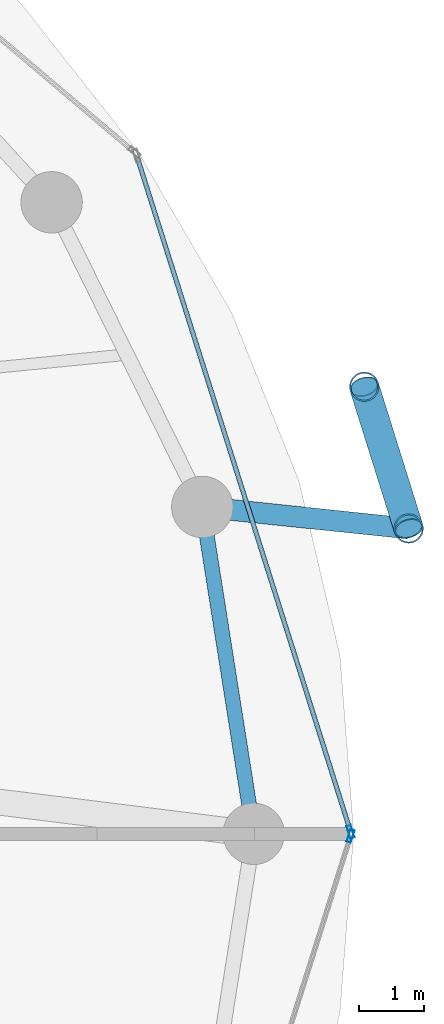
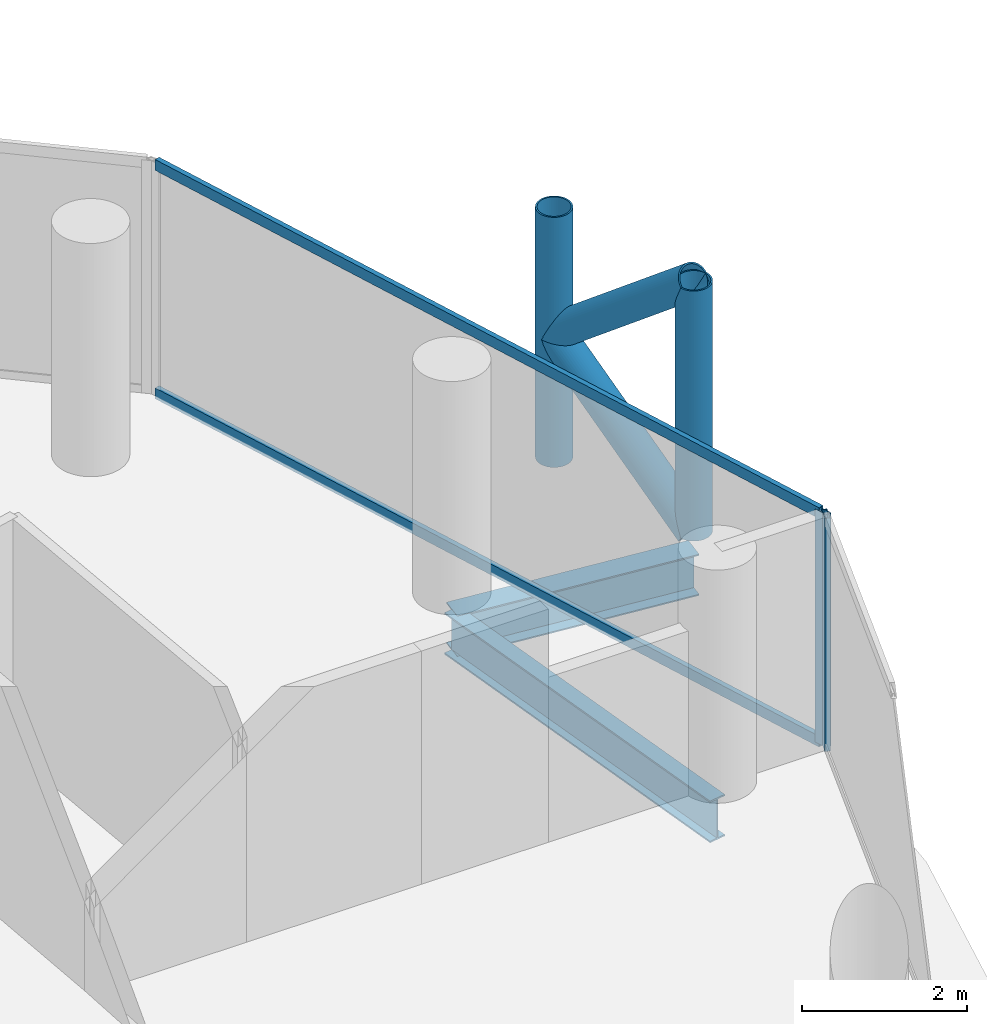
# One storey, part 12 of 26: 8 members, 2 beams, 2 elements without a shape of their own.
"""IFC4 building model written with IfcOpenShell, lengths in metres."""

import ifcopenshell
import ifcopenshell.guid

model = None  # the IFC model being written
_history = None  # IfcOwnerHistory: only IFC2X3 demands one
_inside = {}  # id of a spatial element -> (the spatial element, [elements in it])
_under = {}  # id of a project, library or spatial element -> (it, [spatial elements below it])
_declared = {}  # id of a project -> (the project, [libraries it declares])
_typed = {}  # id of a type object -> (the type object, [elements of that type])
_made_of = {}  # id of a material, layer set ... -> (it, [elements and type objects made of it])


def new_model(schema):
    """Start an empty IFC model of exactly this schema.

    Asked for "IFC4X3", IfcOpenShell would pick the latest addendum, in which some entities
    have other attributes; the version numbers below select the first issue.
    IFC2X3 requires an IfcOwnerHistory on every rooted entity: one is made here for all.
    """
    global model, _history
    if schema == "IFC4X3":
        model = ifcopenshell.file(schema_version=(4, 3, 0, 0))
    else:
        model = ifcopenshell.file(schema=schema)
    _inside.clear()
    _under.clear()
    _declared.clear()
    _typed.clear()
    _made_of.clear()
    _history = None
    if model.schema == "IFC2X3":
        org = make("IfcOrganization", Name="unknown")
        user = make(
            "IfcPersonAndOrganization",
            ThePerson=make("IfcPerson", FamilyName="unknown"),
            TheOrganization=org,
        )
        app = make(
            "IfcApplication",
            ApplicationDeveloper=org,
            Version="unknown",
            ApplicationFullName="unknown",
            ApplicationIdentifier="unknown",
        )
        _history = make(
            "IfcOwnerHistory",
            OwningUser=user,
            OwningApplication=app,
            ChangeAction="ADDED",
            CreationDate=0,
        )
    return model


def make(cls, **values):
    """One entity of the class cls with the attributes given. An attribute that is None is left unset."""
    return model.create_entity(
        cls, **{name: value for name, value in values.items() if value is not None}
    )


def rooted(cls, **values):
    """An entity with a GlobalId (a new one), such as an element, a storey or a relation."""
    return make(cls, GlobalId=ifcopenshell.guid.new(), OwnerHistory=_history, **values)


def si_unit(unit_type, name, prefix=None):
    """IfcSIUnit, for example si_unit("LENGTHUNIT", "METRE", prefix="MILLI")."""
    return make("IfcSIUnit", UnitType=unit_type, Prefix=prefix, Name=name)


def assignment(units):
    """IfcUnitAssignment: the units of a project."""
    return None if units is None else make("IfcUnitAssignment", Units=units)


def point(xyz):
    """IfcCartesianPoint."""
    return None if xyz is None else make("IfcCartesianPoint", Coordinates=xyz)


def direction(xyz):
    """IfcDirection."""
    return None if xyz is None else make("IfcDirection", DirectionRatios=xyz)


def frame(location, z_axis=None, x_axis=None):
    """IfcAxis2Placement3D, a coordinate frame: its origin and axes. An axis left out is left unset."""
    return make(
        "IfcAxis2Placement3D",
        Location=point(location),
        Axis=direction(z_axis),
        RefDirection=direction(x_axis),
    )


def frame_2d(location, x_axis=None):
    """IfcAxis2Placement2D, a coordinate frame in the plane: its origin and x axis."""
    return make(
        "IfcAxis2Placement2D", Location=point(location), RefDirection=direction(x_axis)
    )


def origin():
    """The frame at (0, 0, 0) with its axes left unset."""
    return frame((0.0, 0.0, 0.0))


def origin_2d():
    """The frame at (0, 0) in the plane with its x axis left unset."""
    return frame_2d((0.0, 0.0))


def place(relative_to, where):
    """IfcLocalPlacement: puts the frame where relative to a parent placement (None: the world)."""
    return make(
        "IfcLocalPlacement", PlacementRelTo=relative_to, RelativePlacement=where
    )


def context(
    kind, dimensions, precision=None, world=None, true_north=None, identifier=None
):
    """IfcGeometricRepresentationContext, for example the 3D "Model" context."""
    return make(
        "IfcGeometricRepresentationContext",
        ContextIdentifier=identifier,
        ContextType=kind,
        CoordinateSpaceDimension=dimensions,
        Precision=precision,
        WorldCoordinateSystem=world,
        TrueNorth=true_north,
    )


def subcontext(parent, identifier, kind, view, scale=None):
    """IfcGeometricRepresentationSubContext, for example "Body" below "Model"."""
    return make(
        "IfcGeometricRepresentationSubContext",
        ContextIdentifier=identifier,
        ContextType=kind,
        ParentContext=parent,
        TargetScale=scale,
        TargetView=view,
    )


def project(units=None, contexts=None):
    """IfcProject with its units and contexts."""
    return rooted(
        "IfcProject",
        Name="project",
        RepresentationContexts=contexts,
        UnitsInContext=assignment(units),
    )


def spatial(cls, under=None, at=None, **own):
    """A site, building, storey or space (cls), placed at a placement, below another one or the project."""
    s = rooted(cls, ObjectPlacement=at, **own)
    if under is not None:
        _under.setdefault(under.id(), (under, []))[1].append(s)
    return s


def profile(cls, at=None, kind="AREA", **sizes):
    """A parametric profile (cls). Its sizes go by their IFC names, for example OverallWidth=200.0."""
    return make(cls, ProfileType=kind, Position=at, **sizes)


def hollow_rectangle(**sizes):
    """IfcRectangleHollowProfileDef."""
    return profile("IfcRectangleHollowProfileDef", **sizes)


def hollow_circle(**sizes):
    """IfcCircleHollowProfileDef."""
    return profile("IfcCircleHollowProfileDef", **sizes)


def i_section(**sizes):
    """IfcIShapeProfileDef."""
    return profile("IfcIShapeProfileDef", **sizes)


def extrude(swept, where, along, depth):
    """IfcExtrudedAreaSolid: the profile swept, set in the frame where, extruded along a direction by depth."""
    return make(
        "IfcExtrudedAreaSolid",
        SweptArea=swept,
        Position=where,
        ExtrudedDirection=direction(along),
        Depth=depth,
    )


def shape(context_of_items, identifier, shape_type, items):
    """IfcShapeRepresentation: the items that make up one representation, for example the "Body"."""
    return make(
        "IfcShapeRepresentation",
        ContextOfItems=context_of_items,
        RepresentationIdentifier=identifier,
        RepresentationType=shape_type,
        Items=items,
    )


def material(Name=None, Category=None):
    """IfcMaterial."""
    return make("IfcMaterial", Name=Name, Category=Category)


def layer(
    of_material, thickness, ventilated=None, Name=None, Category=None, Priority=None
):
    """IfcMaterialLayer: one layer of a wall or slab, of a material (None: an air gap)."""
    return make(
        "IfcMaterialLayer",
        Material=of_material,
        LayerThickness=thickness,
        IsVentilated=ventilated,
        Name=Name,
        Category=Category,
        Priority=Priority,
    )


def layer_set(layers, Name=None):
    """IfcMaterialLayerSet."""
    return make("IfcMaterialLayerSet", MaterialLayers=layers, LayerSetName=Name)


def material_profile(
    of_material, cross_section, Name=None, Category=None, Priority=None
):
    """IfcMaterialProfile: a cross section and its material."""
    return make(
        "IfcMaterialProfile",
        Name=Name,
        Material=of_material,
        Profile=cross_section,
        Priority=Priority,
        Category=Category,
    )


def profile_set(profiles, Name=None, composite=None):
    """IfcMaterialProfileSet."""
    return make(
        "IfcMaterialProfileSet",
        Name=Name,
        MaterialProfiles=profiles,
        CompositeProfile=composite,
    )


def made_of(thing, what):
    """Note that an element or type object is made of a material, layer set ...; save() writes the relation."""
    if what is not None:
        _made_of.setdefault(what.id(), (what, []))[1].append(thing)
    return thing


def type_object(cls, material=None, **own):
    """A type object (cls), such as IfcWallType, which elements share."""
    return made_of(rooted(cls, **own), material)


def element(
    cls,
    number,
    at=None,
    inside=None,
    cuts=None,
    type_object=None,
    material=None,
    context=None,
    identifier="Body",
    shape_type=None,
    held_by="IfcProductDefinitionShape",
    body=None,
    shapes=None,
    **own,
):
    """One element of the class cls, such as IfcWall. Its Tag is "e" and its number.

    at: its placement. inside: the storey or other place that contains it. cuts: it is an
    opening in that element (IfcRelVoidsElement). A single representation is given by context,
    identifier, shape_type and body (its items); several are given by shapes. held_by: the class
    of the entity that holds the representations. save() writes the other relations.
    """
    e = rooted(cls, Tag="e%d" % number, ObjectPlacement=at, **own)
    if body is not None:
        shapes = [shape(context, identifier, shape_type, body)]
    if shapes is not None:
        e.Representation = make(held_by, Representations=shapes)
    if inside is not None:
        _inside.setdefault(inside.id(), (inside, []))[1].append(e)
    if cuts is not None:
        rooted(
            "IfcRelVoidsElement", RelatingBuildingElement=cuts, RelatedOpeningElement=e
        )
    if type_object is not None:
        _typed.setdefault(type_object.id(), (type_object, []))[1].append(e)
    return made_of(e, material)


def aggregate(whole, parts):
    """IfcRelAggregates: a whole, such as a stair, and the parts it consists of."""
    return rooted("IfcRelAggregates", RelatingObject=whole, RelatedObjects=parts)


def save(model, path):
    """Write the relations noted so far, then the file.

    IfcRelAggregates (storeys below a building ...), IfcRelContainedInSpatialStructure (elements
    in a storey), IfcRelDefinesByType, IfcRelAssociatesMaterial and IfcRelDeclares: one each for
    every whole, place, type object, material and project.
    """
    for whole, parts in _under.values():
        aggregate(whole, parts)
    for where, things in _inside.values():
        rooted(
            "IfcRelContainedInSpatialStructure",
            RelatedElements=things,
            RelatingStructure=where,
        )
    for kind, things in _typed.values():
        rooted("IfcRelDefinesByType", RelatedObjects=things, RelatingType=kind)
    for what, things in _made_of.values():
        rooted("IfcRelAssociatesMaterial", RelatedObjects=things, RelatingMaterial=what)
    for by, libraries in _declared.values():
        rooted("IfcRelDeclares", RelatingContext=by, RelatedDefinitions=libraries)
    model.write(path)


model = new_model("IFC4")

# Units and contexts
model_context = context("Model", 3, precision=1e-05, world=origin(), true_north=direction((0.0, 1.0)))
body_context = subcontext(model_context, "Body", "Model", "MODEL_VIEW")
ifc_project = project(units=[si_unit("LENGTHUNIT", "METRE"), si_unit("AREAUNIT", "SQUARE_METRE"), si_unit("VOLUMEUNIT", "CUBIC_METRE"), si_unit("PLANEANGLEUNIT", "RADIAN"), si_unit("MASSUNIT", "GRAM", prefix="KILO")], contexts=[model_context])

# Site, building, storey
site_placement = place(None, origin())
site = spatial("IfcSite", under=ifc_project, at=site_placement, CompositionType="ELEMENT")
building_placement = place(site_placement, origin())
building = spatial("IfcBuilding", under=site, at=building_placement, Name="Nuhasar Tower", CompositionType="ELEMENT")
storey_placement = place(building_placement, frame((0.0, 0.0, 181.14990234375)))
storey = spatial("IfcBuildingStorey", under=building, at=storey_placement, Name="L44", CompositionType="ELEMENT", Elevation=181.14990234375)

# Beams
ifc_material_1 = material(Name="Steel S355", Category="steel")
ifc_material_profile_1 = material_profile(ifc_material_1, i_section(OverallWidth=0.22998046875, OverallDepth=0.616943359375, WebThickness=0.01318359375, FlangeThickness=0.022216796875, at=origin_2d()), Name="W24X94")
ifc_profile_set_1 = profile_set([ifc_material_profile_1], Name="Steel S355")
beam_type_1 = type_object("IfcBeamType", Name="BM-RING-W24X94", PredefinedType="SPANDREL", material=ifc_profile_set_1)
beam_1_placement = place(storey_placement, frame((62.35009765625, 26.800048828125, -0.558837890625), z_axis=(-0.155426543608, 0.987847452566, 0.0), x_axis=(-0.987847452566, -0.155426543608, 0.0)))
element("IfcBeam", 1, at=beam_1_placement, inside=storey, type_object=beam_type_1, Name="L44 Perimeter Ring Spandrel 01", PredefinedType="SPANDREL", context=body_context, shape_type="SweptSolid", body=[
    extrude(i_section(OverallWidth=0.22998046875, OverallDepth=0.616943359375, WebThickness=0.01318359375, FlangeThickness=0.022216796875, at=origin_2d()), origin(), (0.0, 0.0, 1.0), 5.122314453125),
])
ifc_material_profile_2 = material_profile(ifc_material_1, i_section(OverallWidth=0.323974609375, OverallDepth=0.611083984375, WebThickness=0.0126953125, FlangeThickness=0.01904296875, at=origin_2d()), Name="W24X104")
ifc_profile_set_2 = profile_set([ifc_material_profile_2], Name="Steel S355")
beam_type_2 = type_object("IfcBeamType", Name="BM-TIE-W24X104", PredefinedType="BEAM", material=ifc_profile_set_2)
beam_2_placement = place(storey_placement, frame((61.553955078125, 31.860107421875, -0.554931640625), z_axis=(0.994569828715, -0.104071397654, 0.0), x_axis=(0.104071397654, 0.994569828715, 0.0)))
element("IfcBeam", 2, at=beam_2_placement, inside=storey, type_object=beam_type_2, Name="L44 Exoskeleton Node Tie Beam 01", PredefinedType="BEAM", context=body_context, shape_type="SweptSolid", body=[
    extrude(i_section(OverallWidth=0.323974609375, OverallDepth=0.611083984375, WebThickness=0.0126953125, FlangeThickness=0.01904296875, at=origin_2d()), origin(), (0.0, 0.0, 1.0), 3.21142578125),
])

# Curtain wall, member
ifc_material_2 = material(Name="Aluminium 6063-T6", Category="aluminium")
ifc_layer = layer(ifc_material_2, 0.199951171875)
ifc_layer_set = layer_set([ifc_layer], Name="Aluminium 6063-T6")
curtain_wall_type = type_object("IfcCurtainWallType", Name="CW-Z2-HTL", PredefinedType="NOTDEFINED", material=ifc_layer_set)
curtain_wall_1_placement = place(storey_placement, origin())
curtain_wall_1 = element("IfcCurtainWall", 3, at=curtain_wall_1_placement, inside=storey, type_object=curtain_wall_type, Name="L44 Unitised Curtain Wall 01", PredefinedType="NOTDEFINED")
ifc_material_profile_3 = material_profile(ifc_material_2, hollow_rectangle(XDim=0.070068359375, YDim=0.199951171875, WallThickness=0.0048828125, at=origin_2d()), Name="CWM-3")
ifc_profile_set_3 = profile_set([ifc_material_profile_3], Name="Aluminium 6063-T6")
member_type_1 = type_object("IfcMemberType", Name="CW-MUL-S3", PredefinedType="MULLION", material=ifc_profile_set_3)
member_1_placement = place(storey_placement, frame((63.849365234375, 26.833251953125, 0.0), z_axis=(0.0, 0.0, 1.0), x_axis=(-0.953433389233, -0.301603667577, 0.0)))
member_1 = element("IfcMember", 4, at=member_1_placement, type_object=member_type_1, Name="CW-Z2 mullion 1", PredefinedType="MULLION", context=body_context, shape_type="SweptSolid", body=[
    extrude(hollow_rectangle(XDim=0.070068359375, YDim=0.199951171875, WallThickness=0.0048828125, at=origin_2d()), origin(), (0.0, 0.0, 1.0), 3.4501953125),
])

curtain_wall_2_placement = place(storey_placement, origin())
curtain_wall_2 = element("IfcCurtainWall", 5, at=curtain_wall_2_placement, inside=storey, type_object=curtain_wall_type, Name="L44 Unitised Curtain Wall 12", PredefinedType="NOTDEFINED")
member_2_placement = place(storey_placement, frame((63.849365234375, 26.7666015625, 0.0), z_axis=(0.0, 0.0, 1.0), x_axis=(-0.953433389233, 0.301603667577, 0.0)))
member_2 = element("IfcMember", 6, at=member_2_placement, type_object=member_type_1, Name="CW-Z2 mullion 2", PredefinedType="MULLION", context=body_context, shape_type="SweptSolid", body=[
    extrude(hollow_rectangle(XDim=0.070068359375, YDim=0.199951171875, WallThickness=0.0048828125, at=origin_2d()), origin(), (0.0, 0.0, 1.0), 3.4501953125),
])
aggregate(curtain_wall_2, [member_2])

# Member
ifc_material_profile_4 = material_profile(ifc_material_2, hollow_rectangle(XDim=0.070068359375, YDim=0.159912109375, WallThickness=0.00439453125, at=origin_2d()), Name="CWT-3")
ifc_profile_set_4 = profile_set([ifc_material_profile_4], Name="Aluminium 6063-T6")
member_type_2 = type_object("IfcMemberType", Name="CW-TRN-S3", PredefinedType="USERDEFINED", material=ifc_profile_set_4)
member_3_placement = place(storey_placement, frame((63.8388671875, 26.86669921875, 0.03515625), z_axis=(-0.301608163352, 0.953431967053, 0.0), x_axis=(-0.953431967053, -0.301608163352, 0.0)))
member_3 = element("IfcMember", 7, at=member_3_placement, type_object=member_type_2, Name="CW-Z2 transom 1.1", ObjectType="TRANSOM", PredefinedType="USERDEFINED", context=body_context, shape_type="SweptSolid", body=[
    extrude(hollow_rectangle(XDim=0.070068359375, YDim=0.159912109375, WallThickness=0.00439453125, at=origin_2d()), origin(), (0.0, 0.0, 1.0), 10.904296875),
])

member_4_placement = place(storey_placement, frame((63.8388671875, 26.86669921875, 3.4150390625), z_axis=(-0.301608163352, 0.953431967053, 0.0), x_axis=(-0.953431967053, -0.301608163352, 0.0)))
member_4 = element("IfcMember", 8, at=member_4_placement, type_object=member_type_2, Name="CW-Z2 transom 1.2", ObjectType="TRANSOM", PredefinedType="USERDEFINED", context=body_context, shape_type="SweptSolid", body=[
    extrude(hollow_rectangle(XDim=0.070068359375, YDim=0.159912109375, WallThickness=0.00439453125, at=origin_2d()), origin(), (0.0, 0.0, 1.0), 10.904296875),
])

aggregate(curtain_wall_1, [member_1, member_3, member_4])

# Members
ifc_material_3 = material(Name="Steel S460", Category="steel")
ifc_material_profile_5 = material_profile(ifc_material_3, hollow_circle(Radius=0.228515625, WallThickness=0.022216796875, at=origin_2d()), Name="HSS457X22.2")
ifc_profile_set_5 = profile_set([ifc_material_profile_5], Name="Steel S460")
member_type_3 = type_object("IfcMemberType", Name="EXO-BRONZE-457", PredefinedType="BRACE", material=ifc_profile_set_5)
for number, where, z_axis, x_axis, name in (
    (9, (64.748046875, 31.52587890625, 0.0), (0.0, 0.0, 1.0), (1.0, 0.0, 0.0), "L44 Exoskeleton Chord Column EC-01A"),
    (10, (64.06005859375, 33.720947265625, 0.0), (0.0, 0.0, 1.0), (1.0, 0.0, 0.0), "L44 Exoskeleton Chord Column EC-01B"),
):
    element("IfcMember", number, at=place(storey_placement, frame(where, z_axis=z_axis, x_axis=x_axis)), inside=storey, type_object=member_type_3, Name=name, PredefinedType="BRACE", context=body_context, shape_type="SweptSolid", body=[
        extrude(hollow_circle(Radius=0.228515625, WallThickness=0.022216796875, at=origin_2d()), origin(), (0.0, 0.0, 1.0), 3.7001953125),
    ])
for number, where, z_axis, x_axis, name in (
    (11, (64.748046875, 31.52587890625, 0.0), (-0.233055548538, 0.743577869731, 0.626719285599), (-0.954228474306, -0.29907861646, 0.0), "L44 Bronze Diagrid Brace W1-01"),
    (12, (64.06005859375, 33.720947265625, 1.85009765625), (0.233055548538, -0.743577869731, 0.626719285599), (0.954228474306, 0.29907861646, 0.0), "L44 Bronze Diagrid Brace W2-01"),
):
    element("IfcMember", number, at=place(storey_placement, frame(where, z_axis=z_axis, x_axis=x_axis)), inside=storey, type_object=member_type_3, Name=name, PredefinedType="BRACE", context=body_context, shape_type="SweptSolid", body=[
        extrude(hollow_circle(Radius=0.228515625, WallThickness=0.022216796875, at=origin_2d()), origin(), (0.0, 0.0, 1.0), 2.9521484375),
    ])

save(model, "model.ifc")
